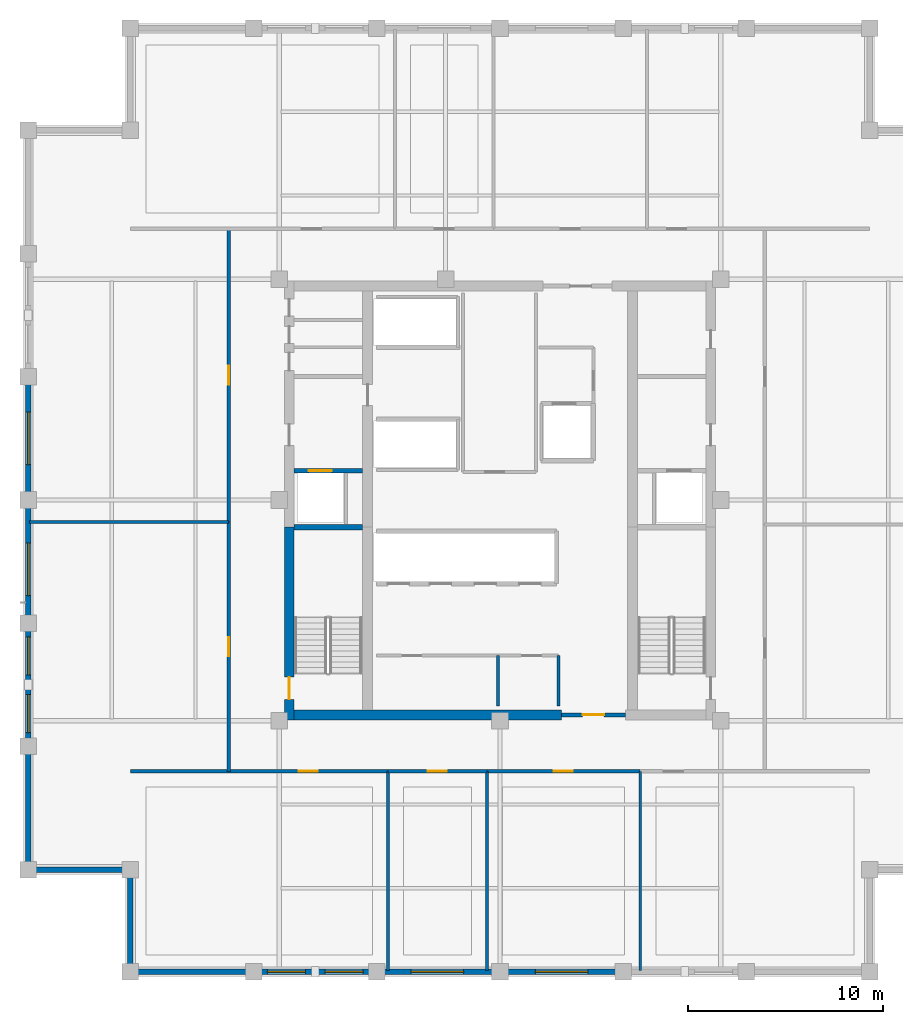
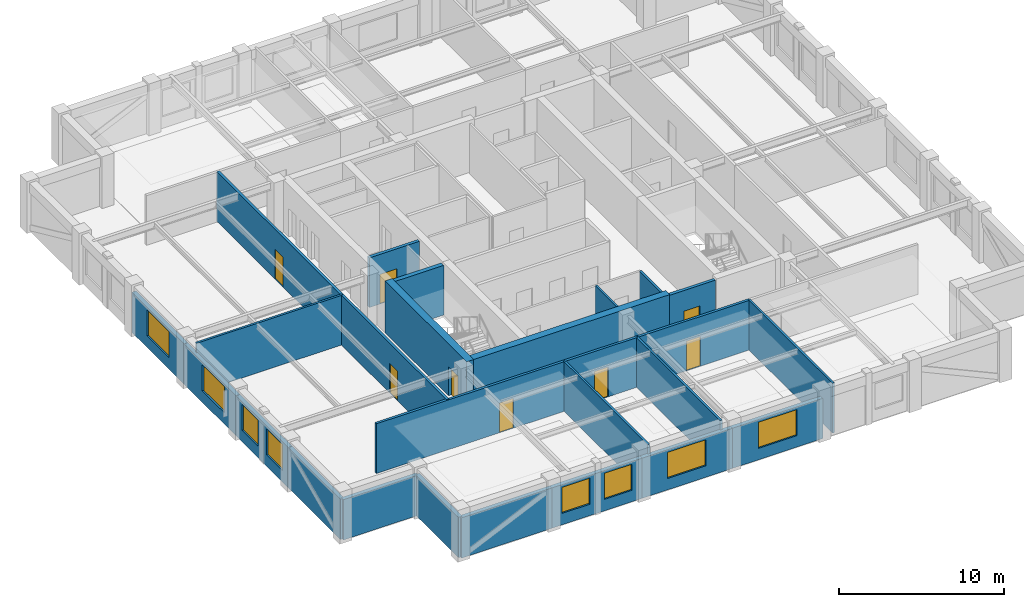
# One storey, part 5 of 11: 26 walls, 8 doors, 8 windows, 16 openings.
"""IFC4 building model written with IfcOpenShell, lengths in metres."""

from ifc_helpers import new_model, si_unit, direction, frame, frame_2d, origin, place, context, subcontext, project, spatial, rectangle, extrude, material, layer, layer_set, type_object, element, fill, save


model = new_model("IFC4")

# Units and contexts
model_context = context("Model", 3, precision=1e-05, world=origin(), true_north=direction((0.0, 1.0)))
body_context = subcontext(model_context, "Body", "Model", "MODEL_VIEW")
ifc_project = project(units=[si_unit("LENGTHUNIT", "METRE"), si_unit("AREAUNIT", "SQUARE_METRE"), si_unit("VOLUMEUNIT", "CUBIC_METRE"), si_unit("PLANEANGLEUNIT", "RADIAN"), si_unit("MASSUNIT", "GRAM", prefix="KILO")], contexts=[model_context])

# Site, building, storey
site_placement = place(None, origin())
site = spatial("IfcSite", under=ifc_project, at=site_placement, CompositionType="ELEMENT")
building_placement = place(site_placement, origin())
building = spatial("IfcBuilding", under=site, at=building_placement, Name="Nhamokura Convention Tower", CompositionType="ELEMENT")
storey_placement = place(building_placement, frame((0.0, 0.0, 198.449951171875)))
storey = spatial("IfcBuildingStorey", under=building, at=storey_placement, Name="L48", CompositionType="ELEMENT", Elevation=198.449951171875)

# Wall
ifc_material_1 = material(Name="Bronze-pigmented precast concrete C45/55", Category="concrete")
ifc_layer_1 = layer(ifc_material_1, 0.280029296875)
ifc_layer_set_1 = layer_set([ifc_layer_1], Name="BronzePrecastSpandrel_280")
wall_type_1 = type_object("IfcWallType", Name="BronzePrecastSpandrel_280", PredefinedType="USERDEFINED", material=ifc_layer_set_1)
wall_1_placement = place(storey_placement, frame((19.333251953125, 7.75, 0.0), z_axis=(0.0, 0.0, 1.0), x_axis=(-1.0, 0.0, 0.0)))
element("IfcWall", 1, at=wall_1_placement, inside=storey, type_object=wall_type_1, Name="L48 Braced-Bay Precast Wall SOUTH 0", ObjectType="SPANDREL_WALL", PredefinedType="USERDEFINED", context=body_context, shape_type="SweptSolid", body=[
    extrude(rectangle(XDim=6.333251953125, YDim=0.280029296875, at=frame_2d((3.16650390625, 0.0))), origin(), (0.0, 0.0, 1.0), 2.985107421875),
])

# Wall, openings, windows
wall_2_placement = place(storey_placement, frame((25.666748046875, 7.75, 0.0), z_axis=(0.0, 0.0, 1.0), x_axis=(-1.0, 0.0, 0.0)))
wall_2 = element("IfcWall", 2, at=wall_2_placement, inside=storey, type_object=wall_type_1, Name="L48 Masonry-Frame Wall SOUTH 1", ObjectType="SPANDREL_WALL", PredefinedType="USERDEFINED", context=body_context, shape_type="SweptSolid", body=[
    extrude(rectangle(XDim=6.33349609375, YDim=0.280029296875, at=frame_2d((3.166748046875, 0.0))), origin(), (0.0, 0.0, 1.0), 2.985107421875),
])
opening_1_placement = place(wall_2_placement, frame((0.708251953125, 0.0, 0.85009765625)))
opening_1 = element("IfcOpeningElement", 3, at=opening_1_placement, cuts=wall_2, Name="Opening W-08", PredefinedType="OPENING", context=body_context, shape_type="SweptSolid", body=[
    extrude(rectangle(XDim=1.949951171875, YDim=1.93505859375, at=frame_2d((0.97509765625, 0.967529296875))), frame((0.0, 0.14990234375, 0.0), z_axis=(0.0, -1.0, 0.0), x_axis=(1.0, 0.0, 0.0)), (0.0, 0.0, 1.0), 0.300048828125),
])
opening_2_placement = place(wall_2_placement, frame((3.675048828125, 0.0, 0.85009765625)))
opening_2 = element("IfcOpeningElement", 4, at=opening_2_placement, cuts=wall_2, Name="Opening W-08", PredefinedType="OPENING", context=body_context, shape_type="SweptSolid", body=[
    extrude(rectangle(XDim=1.949951171875, YDim=1.93505859375, at=frame_2d((0.97509765625, 0.967529296875))), frame((0.0, 0.14990234375, 0.0), z_axis=(0.0, -1.0, 0.0), x_axis=(1.0, 0.0, 0.0)), (0.0, 0.0, 1.0), 0.300048828125),
])
ifc_material_2 = material(Name="Solar-control bronze low-E double glass", Category="glass")
window_type_1 = type_object("IfcWindowType", Name="OfficeModuleWindow_Z3_1950", PartitioningType="SINGLE_PANEL", PredefinedType="WINDOW", material=ifc_material_2)
window_1_placement = place(opening_1_placement, origin())
window_1 = element("IfcWindow", 5, at=window_1_placement, inside=storey, type_object=window_type_1, Name="L48 Facade Window SOUTH 1-1", OverallHeight=1.93505859375, OverallWidth=1.949951171875, PartitioningType="SINGLE_PANEL", PredefinedType="WINDOW", context=body_context, shape_type="SweptSolid", body=[
    extrude(rectangle(XDim=1.949951171875, YDim=1.93505859375, at=frame_2d((0.97509765625, 0.967529296875))), frame((0.0, 0.030029296875, 0.0), z_axis=(0.0, -1.0, 0.0), x_axis=(1.0, 0.0, 0.0)), (0.0, 0.0, 1.0), 0.06005859375),
])
fill(opening_1, window_1)
window_2_placement = place(opening_2_placement, origin())
window_2 = element("IfcWindow", 6, at=window_2_placement, inside=storey, type_object=window_type_1, Name="L48 Facade Window SOUTH 1-2", OverallHeight=1.93505859375, OverallWidth=1.949951171875, PartitioningType="SINGLE_PANEL", PredefinedType="WINDOW", context=body_context, shape_type="SweptSolid", body=[
    extrude(rectangle(XDim=1.949951171875, YDim=1.93505859375, at=frame_2d((0.97509765625, 0.967529296875))), frame((0.0, 0.030029296875, 0.0), z_axis=(0.0, -1.0, 0.0), x_axis=(1.0, 0.0, 0.0)), (0.0, 0.0, 1.0), 0.06005859375),
])
fill(opening_2, window_2)

# Wall, opening, window
wall_3_placement = place(storey_placement, frame((32.0, 7.75, 0.0), z_axis=(0.0, 0.0, 1.0), x_axis=(-1.0, 0.0, 0.0)))
wall_3 = element("IfcWall", 7, at=wall_3_placement, inside=storey, type_object=wall_type_1, Name="L48 Masonry-Frame Wall SOUTH 2", ObjectType="SPANDREL_WALL", PredefinedType="USERDEFINED", context=body_context, shape_type="SweptSolid", body=[
    extrude(rectangle(XDim=6.333251953125, YDim=0.280029296875, at=frame_2d((3.16650390625, 0.0))), origin(), (0.0, 0.0, 1.0), 2.985107421875),
])
opening_3_placement = place(wall_3_placement, frame((1.86669921875, 0.0, 0.85009765625)))
opening_3 = element("IfcOpeningElement", 8, at=opening_3_placement, cuts=wall_3, Name="Opening W-07", PredefinedType="OPENING", context=body_context, shape_type="SweptSolid", body=[
    extrude(rectangle(XDim=2.699951171875, YDim=1.93505859375, at=frame_2d((1.35009765625, 0.967529296875))), frame((0.0, 0.14990234375, 0.0), z_axis=(0.0, -1.0, 0.0), x_axis=(1.0, 0.0, 0.0)), (0.0, 0.0, 1.0), 0.300048828125),
])
ifc_material_3 = material(Name="Solar-control bronze low-E double glass", Category="glass")
window_type_2 = type_object("IfcWindowType", Name="OfficeModuleWindow_Z3_2700", PartitioningType="DOUBLE_PANEL_VERTICAL", PredefinedType="WINDOW", material=ifc_material_3)
window_3_placement = place(opening_3_placement, origin())
window_3 = element("IfcWindow", 9, at=window_3_placement, inside=storey, type_object=window_type_2, Name="L48 Facade Window SOUTH 2", OverallHeight=1.93505859375, OverallWidth=2.699951171875, PartitioningType="SINGLE_PANEL", PredefinedType="WINDOW", context=body_context, shape_type="SweptSolid", body=[
    extrude(rectangle(XDim=2.699951171875, YDim=1.93505859375, at=frame_2d((1.35009765625, 0.967529296875))), frame((0.0, 0.030029296875, 0.0), z_axis=(0.0, -1.0, 0.0), x_axis=(1.0, 0.0, 0.0)), (0.0, 0.0, 1.0), 0.06005859375),
])
fill(opening_3, window_3)

wall_4_placement = place(storey_placement, frame((38.333251953125, 7.75, 0.0), z_axis=(0.0, 0.0, 1.0), x_axis=(-1.0, 0.0, 0.0)))
wall_4 = element("IfcWall", 10, at=wall_4_placement, inside=storey, type_object=wall_type_1, Name="L48 Masonry-Frame Wall SOUTH 3", ObjectType="SPANDREL_WALL", PredefinedType="USERDEFINED", context=body_context, shape_type="SweptSolid", body=[
    extrude(rectangle(XDim=6.333251953125, YDim=0.280029296875, at=frame_2d((3.16650390625, 0.0))), origin(), (0.0, 0.0, 1.0), 2.985107421875),
])
opening_4_placement = place(wall_4_placement, frame((1.816650390625, 0.0, 0.85009765625)))
opening_4 = element("IfcOpeningElement", 11, at=opening_4_placement, cuts=wall_4, Name="Opening W-07", PredefinedType="OPENING", context=body_context, shape_type="SweptSolid", body=[
    extrude(rectangle(XDim=2.699951171875, YDim=1.93505859375, at=frame_2d((1.35009765625, 0.967529296875))), frame((0.0, 0.14990234375, 0.0), z_axis=(0.0, -1.0, 0.0), x_axis=(1.0, 0.0, 0.0)), (0.0, 0.0, 1.0), 0.300048828125),
])
window_4_placement = place(opening_4_placement, origin())
window_4 = element("IfcWindow", 12, at=window_4_placement, inside=storey, type_object=window_type_2, Name="L48 Facade Window SOUTH 3", OverallHeight=1.93505859375, OverallWidth=2.699951171875, PartitioningType="SINGLE_PANEL", PredefinedType="WINDOW", context=body_context, shape_type="SweptSolid", body=[
    extrude(rectangle(XDim=2.699951171875, YDim=1.93505859375, at=frame_2d((1.35009765625, 0.967529296875))), frame((0.0, 0.030029296875, 0.0), z_axis=(0.0, -1.0, 0.0), x_axis=(1.0, 0.0, 0.0)), (0.0, 0.0, 1.0), 0.06005859375),
])
fill(opening_4, window_4)

# Wall
wall_5_placement = place(storey_placement, frame((7.75, 13.0, 0.0), z_axis=(0.0, 0.0, 1.0), x_axis=(0.0, 1.0, 0.0)))
element("IfcWall", 13, at=wall_5_placement, inside=storey, type_object=wall_type_1, Name="L48 Braced-Bay Precast Wall WEST 0", ObjectType="SPANDREL_WALL", PredefinedType="USERDEFINED", context=body_context, shape_type="SweptSolid", body=[
    extrude(rectangle(XDim=6.333251953125, YDim=0.280029296875, at=frame_2d((3.16650390625, 0.0))), origin(), (0.0, 0.0, 1.0), 2.985107421875),
])

# Wall, openings, windows
wall_6_placement = place(storey_placement, frame((7.75, 19.333251953125, 0.0), z_axis=(0.0, 0.0, 1.0), x_axis=(0.0, 1.0, 0.0)))
wall_6 = element("IfcWall", 14, at=wall_6_placement, inside=storey, type_object=wall_type_1, Name="L48 Masonry-Frame Wall WEST 1", ObjectType="SPANDREL_WALL", PredefinedType="USERDEFINED", context=body_context, shape_type="SweptSolid", body=[
    extrude(rectangle(XDim=6.33349609375, YDim=0.280029296875, at=frame_2d((3.166748046875, 0.0))), origin(), (0.0, 0.0, 1.0), 2.985107421875),
])
opening_5_placement = place(wall_6_placement, frame((0.708251953125, 0.0, 0.85009765625)))
opening_5 = element("IfcOpeningElement", 15, at=opening_5_placement, cuts=wall_6, Name="Opening W-08", PredefinedType="OPENING", context=body_context, shape_type="SweptSolid", body=[
    extrude(rectangle(XDim=1.949951171875, YDim=1.93505859375, at=frame_2d((0.97509765625, 0.967529296875))), frame((0.0, 0.14990234375, 0.0), z_axis=(0.0, -1.0, 0.0), x_axis=(1.0, 0.0, 0.0)), (0.0, 0.0, 1.0), 0.300048828125),
])
opening_6_placement = place(wall_6_placement, frame((3.675048828125, 0.0, 0.85009765625)))
opening_6 = element("IfcOpeningElement", 16, at=opening_6_placement, cuts=wall_6, Name="Opening W-08", PredefinedType="OPENING", context=body_context, shape_type="SweptSolid", body=[
    extrude(rectangle(XDim=1.949951171875, YDim=1.93505859375, at=frame_2d((0.97509765625, 0.967529296875))), frame((0.0, 0.14990234375, 0.0), z_axis=(0.0, -1.0, 0.0), x_axis=(1.0, 0.0, 0.0)), (0.0, 0.0, 1.0), 0.300048828125),
])
window_5_placement = place(opening_5_placement, origin())
window_5 = element("IfcWindow", 17, at=window_5_placement, inside=storey, type_object=window_type_1, Name="L48 Facade Window WEST 1-1", OverallHeight=1.93505859375, OverallWidth=1.949951171875, PartitioningType="SINGLE_PANEL", PredefinedType="WINDOW", context=body_context, shape_type="SweptSolid", body=[
    extrude(rectangle(XDim=1.949951171875, YDim=1.93505859375, at=frame_2d((0.97509765625, 0.967529296875))), frame((0.0, 0.030029296875, 0.0), z_axis=(0.0, -1.0, 0.0), x_axis=(1.0, 0.0, 0.0)), (0.0, 0.0, 1.0), 0.06005859375),
])
fill(opening_5, window_5)
window_6_placement = place(opening_6_placement, origin())
window_6 = element("IfcWindow", 18, at=window_6_placement, inside=storey, type_object=window_type_1, Name="L48 Facade Window WEST 1-2", OverallHeight=1.93505859375, OverallWidth=1.949951171875, PartitioningType="SINGLE_PANEL", PredefinedType="WINDOW", context=body_context, shape_type="SweptSolid", body=[
    extrude(rectangle(XDim=1.949951171875, YDim=1.93505859375, at=frame_2d((0.97509765625, 0.967529296875))), frame((0.0, 0.030029296875, 0.0), z_axis=(0.0, -1.0, 0.0), x_axis=(1.0, 0.0, 0.0)), (0.0, 0.0, 1.0), 0.06005859375),
])
fill(opening_6, window_6)

# Wall, opening, window
wall_7_placement = place(storey_placement, frame((7.75, 25.666748046875, 0.0), z_axis=(0.0, 0.0, 1.0), x_axis=(0.0, 1.0, 0.0)))
wall_7 = element("IfcWall", 19, at=wall_7_placement, inside=storey, type_object=wall_type_1, Name="L48 Masonry-Frame Wall WEST 2", ObjectType="SPANDREL_WALL", PredefinedType="USERDEFINED", context=body_context, shape_type="SweptSolid", body=[
    extrude(rectangle(XDim=6.333251953125, YDim=0.280029296875, at=frame_2d((3.16650390625, 0.0))), origin(), (0.0, 0.0, 1.0), 2.985107421875),
])
opening_7_placement = place(wall_7_placement, frame((1.416748046875, 0.0, 0.85009765625)))
opening_7 = element("IfcOpeningElement", 20, at=opening_7_placement, cuts=wall_7, Name="Opening W-07", PredefinedType="OPENING", context=body_context, shape_type="SweptSolid", body=[
    extrude(rectangle(XDim=2.699951171875, YDim=1.93505859375, at=frame_2d((1.35009765625, 0.967529296875))), frame((0.0, 0.14990234375, 0.0), z_axis=(0.0, -1.0, 0.0), x_axis=(1.0, 0.0, 0.0)), (0.0, 0.0, 1.0), 0.300048828125),
])
window_7_placement = place(opening_7_placement, origin())
window_7 = element("IfcWindow", 21, at=window_7_placement, inside=storey, type_object=window_type_2, Name="L48 Facade Window WEST 2-1", OverallHeight=1.93505859375, OverallWidth=2.699951171875, PartitioningType="SINGLE_PANEL", PredefinedType="WINDOW", context=body_context, shape_type="SweptSolid", body=[
    extrude(rectangle(XDim=2.699951171875, YDim=1.93505859375, at=frame_2d((1.35009765625, 0.967529296875))), frame((0.0, 0.030029296875, 0.0), z_axis=(0.0, -1.0, 0.0), x_axis=(1.0, 0.0, 0.0)), (0.0, 0.0, 1.0), 0.06005859375),
])
fill(opening_7, window_7)

wall_8_placement = place(storey_placement, frame((7.75, 32.0, 0.0), z_axis=(0.0, 0.0, 1.0), x_axis=(0.0, 1.0, 0.0)))
wall_8 = element("IfcWall", 22, at=wall_8_placement, inside=storey, type_object=wall_type_1, Name="L48 Masonry-Frame Wall WEST 3", ObjectType="SPANDREL_WALL", PredefinedType="USERDEFINED", context=body_context, shape_type="SweptSolid", body=[
    extrude(rectangle(XDim=6.333251953125, YDim=0.280029296875, at=frame_2d((3.16650390625, 0.0))), origin(), (0.0, 0.0, 1.0), 2.985107421875),
])
opening_8_placement = place(wall_8_placement, frame((1.816650390625, 0.0, 0.85009765625)))
opening_8 = element("IfcOpeningElement", 23, at=opening_8_placement, cuts=wall_8, Name="Opening W-07", PredefinedType="OPENING", context=body_context, shape_type="SweptSolid", body=[
    extrude(rectangle(XDim=2.699951171875, YDim=1.93505859375, at=frame_2d((1.35009765625, 0.967529296875))), frame((0.0, 0.14990234375, 0.0), z_axis=(0.0, -1.0, 0.0), x_axis=(1.0, 0.0, 0.0)), (0.0, 0.0, 1.0), 0.300048828125),
])
window_8_placement = place(opening_8_placement, origin())
window_8 = element("IfcWindow", 24, at=window_8_placement, inside=storey, type_object=window_type_2, Name="L48 Facade Window WEST 3", OverallHeight=1.93505859375, OverallWidth=2.699951171875, PartitioningType="SINGLE_PANEL", PredefinedType="WINDOW", context=body_context, shape_type="SweptSolid", body=[
    extrude(rectangle(XDim=2.699951171875, YDim=1.93505859375, at=frame_2d((1.35009765625, 0.967529296875))), frame((0.0, 0.030029296875, 0.0), z_axis=(0.0, -1.0, 0.0), x_axis=(1.0, 0.0, 0.0)), (0.0, 0.0, 1.0), 0.06005859375),
])
fill(opening_8, window_8)

# Walls
for number, where, z_axis, x_axis, name in (
    (25, (13.0, 7.75, 0.0), (0.0, 0.0, 1.0), (0.0, 1.0, 0.0), "L48 Notched Corner Wall SW1"),
    (26, (13.0, 13.0, 0.0), (0.0, 0.0, 1.0), (-1.0, 0.0, 0.0), "L48 Notched Corner Wall SW2"),
):
    element("IfcWall", number, at=place(storey_placement, frame(where, z_axis=z_axis, x_axis=x_axis)), inside=storey, type_object=wall_type_1, Name=name, ObjectType="SPANDREL_WALL", PredefinedType="USERDEFINED", context=body_context, shape_type="SweptSolid", body=[
        extrude(rectangle(XDim=5.25, YDim=0.280029296875, at=frame_2d((2.625, 0.0))), origin(), (0.0, 0.0, 1.0), 2.985107421875),
    ])

# Wall, opening, door
ifc_material_4 = material(Name="Concrete C60/75", Category="concrete")
ifc_layer_2 = layer(ifc_material_4, 0.5)
ifc_layer_set_2 = layer_set([ifc_layer_2], Name="CoreShearWall_500")
wall_type_2 = type_object("IfcWallType", Name="CoreShearWall_500", PredefinedType="SHEAR", material=ifc_layer_set_2)
wall_9_placement = place(storey_placement, frame((21.159912109375, 20.699951171875, 0.0), z_axis=(0.0, 0.0, 1.0), x_axis=(0.0, 1.0, 0.0)))
wall_9 = element("IfcWall", 27, at=wall_9_placement, inside=storey, type_object=wall_type_2, Name="L48 Core Shear Wall CW-WS", PredefinedType="SHEAR", context=body_context, shape_type="SweptSolid", body=[
    extrude(rectangle(XDim=9.900146484375, YDim=0.5, at=frame_2d((4.9501953125, 0.0))), origin(), (0.0, 0.0, 1.0), 3.85009765625),
])
opening_9_placement = place(wall_9_placement, frame((1.050048828125, 0.0, 0.0)))
opening_9 = element("IfcOpeningElement", 28, at=opening_9_placement, cuts=wall_9, Name="Opening D-04", PredefinedType="OPENING", context=body_context, shape_type="SweptSolid", body=[
    extrude(rectangle(XDim=1.14990234375, YDim=2.14990234375, at=frame_2d((0.574951171875, 1.074951171875))), frame((0.0, 0.260009765625, 0.0), z_axis=(0.0, -1.0, 0.0), x_axis=(1.0, 0.0, 0.0)), (0.0, 0.0, 1.0), 0.52001953125),
])
ifc_material_5 = material(Name="Fire-rated steel door", Category="steel")
door_type_1 = type_object("IfcDoorType", Name="StairSmokeDoor_1150", OperationType="NOTDEFINED", PredefinedType="DOOR", material=ifc_material_5)
door_1_placement = place(opening_9_placement, origin())
door_1 = element("IfcDoor", 29, at=door_1_placement, inside=storey, type_object=door_type_1, Name="L48 Core Door INT-L48-D-ST01", OperationType="SINGLE_SWING_LEFT", OverallHeight=2.14990234375, OverallWidth=1.14990234375, PredefinedType="DOOR", context=body_context, shape_type="SweptSolid", body=[
    extrude(rectangle(XDim=1.14990234375, YDim=2.14990234375, at=frame_2d((0.574951171875, 1.074951171875))), frame((0.0, 0.02490234375, 0.0), z_axis=(0.0, -1.0, 0.0), x_axis=(1.0, 0.0, 0.0)), (0.0, 0.0, 1.0), 0.050048828125),
])
fill(opening_9, door_1)

# Wall
wall_10_placement = place(storey_placement, frame((21.409912109375, 20.949951171875, 0.0), z_axis=(0.0, 0.0, 1.0), x_axis=(1.0, 0.0, 0.0)))
element("IfcWall", 30, at=wall_10_placement, inside=storey, type_object=wall_type_2, Name="L48 Core Shear Wall CW-S1", PredefinedType="SHEAR", context=body_context, shape_type="SweptSolid", body=[
    extrude(rectangle(XDim=13.739990234375, YDim=0.5, at=frame_2d((6.8701171875, 0.0))), origin(), (0.0, 0.0, 1.0), 3.85009765625),
])

# Wall, opening, door
ifc_material_6 = material(Name="Fire-rated gypsum and masonry partition", Category="masonry")
ifc_layer_3 = layer(ifc_material_6, 0.179931640625)
ifc_layer_set_3 = layer_set([ifc_layer_3], Name="CorridorRatedWall_180")
wall_type_3 = type_object("IfcWallType", Name="CorridorRatedWall_180", PredefinedType="STANDARD", material=ifc_layer_set_3)
wall_11_placement = place(storey_placement, frame((13.0, 18.050048828125, 0.0), z_axis=(0.0, 0.0, 1.0), x_axis=(1.0, 0.0, 0.0)))
wall_11 = element("IfcWall", 31, at=wall_11_placement, inside=storey, type_object=wall_type_3, Name="L48 Wall INT-L48-CW-S00", PredefinedType="STANDARD", context=body_context, shape_type="SweptSolid", body=[
    extrude(rectangle(XDim=13.24169921875, YDim=0.179931640625, at=frame_2d((6.620849609375, 0.0))), origin(), (0.0, 0.0, 1.0), 3.68505859375),
])
opening_10_placement = place(wall_11_placement, frame((8.64599609375, 0.0, 0.0)))
opening_10 = element("IfcOpeningElement", 32, at=opening_10_placement, cuts=wall_11, Name="Opening D-08", PredefinedType="OPENING", context=body_context, shape_type="SweptSolid", body=[
    extrude(rectangle(XDim=0.97998046875, YDim=2.199951171875, at=frame_2d((0.489990234375, 1.10009765625))), frame((0.0, 0.099853515625, 0.0), z_axis=(0.0, -1.0, 0.0), x_axis=(1.0, 0.0, 0.0)), (0.0, 0.0, 1.0), 0.199951171875),
])
ifc_material_7 = material(Name="Solid oak hardwood", Category="wood")
door_type_2 = type_object("IfcDoorType", Name="OfficeEntryDoor_980", OperationType="NOTDEFINED", PredefinedType="DOOR", material=ifc_material_7)
door_2_placement = place(opening_10_placement, origin())
door_2 = element("IfcDoor", 33, at=door_2_placement, inside=storey, type_object=door_type_2, Name="L48 Private Office S01 Door", OperationType="SINGLE_SWING_LEFT", OverallHeight=2.199951171875, OverallWidth=0.97998046875, PredefinedType="DOOR", context=body_context, shape_type="SweptSolid", body=[
    extrude(rectangle(XDim=0.97998046875, YDim=2.199951171875, at=frame_2d((0.489990234375, 1.10009765625))), frame((0.0, 0.02490234375, 0.0), z_axis=(0.0, -1.0, 0.0), x_axis=(1.0, 0.0, 0.0)), (0.0, 0.0, 1.0), 0.050048828125),
])
fill(opening_10, door_2)

wall_12_placement = place(storey_placement, frame((26.24169921875, 18.050048828125, 0.0), z_axis=(0.0, 0.0, 1.0), x_axis=(1.0, 0.0, 0.0)))
wall_12 = element("IfcWall", 34, at=wall_12_placement, inside=storey, type_object=wall_type_3, Name="L48 Wall INT-L48-CW-S01", PredefinedType="STANDARD", context=body_context, shape_type="SweptSolid", body=[
    extrude(rectangle(XDim=5.083251953125, YDim=0.179931640625, at=frame_2d((2.54150390625, 0.0))), origin(), (0.0, 0.0, 1.0), 3.68505859375),
])
opening_11_placement = place(wall_12_placement, frame((2.04150390625, 0.0, 0.0)))
opening_11 = element("IfcOpeningElement", 35, at=opening_11_placement, cuts=wall_12, Name="Opening D-08", PredefinedType="OPENING", context=body_context, shape_type="SweptSolid", body=[
    extrude(rectangle(XDim=0.97998046875, YDim=2.199951171875, at=frame_2d((0.489990234375, 1.10009765625))), frame((0.0, 0.099853515625, 0.0), z_axis=(0.0, -1.0, 0.0), x_axis=(1.0, 0.0, 0.0)), (0.0, 0.0, 1.0), 0.199951171875),
])
door_3_placement = place(opening_11_placement, origin())
door_3 = element("IfcDoor", 36, at=door_3_placement, inside=storey, type_object=door_type_2, Name="L48 Private Office S02 Door", OperationType="SINGLE_SWING_RIGHT", OverallHeight=2.199951171875, OverallWidth=0.97998046875, PredefinedType="DOOR", context=body_context, shape_type="SweptSolid", body=[
    extrude(rectangle(XDim=0.97998046875, YDim=2.199951171875, at=frame_2d((0.489990234375, 1.10009765625))), frame((0.0, 0.02490234375, 0.0), z_axis=(0.0, -1.0, 0.0), x_axis=(1.0, 0.0, 0.0)), (0.0, 0.0, 1.0), 0.050048828125),
])
fill(opening_11, door_3)

wall_13_placement = place(storey_placement, frame((31.324951171875, 18.050048828125, 0.0), z_axis=(0.0, 0.0, 1.0), x_axis=(1.0, 0.0, 0.0)))
wall_13 = element("IfcWall", 37, at=wall_13_placement, inside=storey, type_object=wall_type_3, Name="L48 Wall INT-L48-CW-S02", PredefinedType="STANDARD", context=body_context, shape_type="SweptSolid", body=[
    extrude(rectangle(XDim=7.88330078125, YDim=0.179931640625, at=frame_2d((3.941650390625, 0.0))), origin(), (0.0, 0.0, 1.0), 3.68505859375),
])
opening_12_placement = place(wall_13_placement, frame((3.441650390625, 0.0, 0.0)))
opening_12 = element("IfcOpeningElement", 38, at=opening_12_placement, cuts=wall_13, Name="Opening D-08", PredefinedType="OPENING", context=body_context, shape_type="SweptSolid", body=[
    extrude(rectangle(XDim=0.97998046875, YDim=2.199951171875, at=frame_2d((0.489990234375, 1.10009765625))), frame((0.0, 0.099853515625, 0.0), z_axis=(0.0, -1.0, 0.0), x_axis=(1.0, 0.0, 0.0)), (0.0, 0.0, 1.0), 0.199951171875),
])
door_4_placement = place(opening_12_placement, origin())
door_4 = element("IfcDoor", 39, at=door_4_placement, inside=storey, type_object=door_type_2, Name="L48 Meeting Room S03 Door", OperationType="SINGLE_SWING_LEFT", OverallHeight=2.199951171875, OverallWidth=0.97998046875, PredefinedType="DOOR", context=body_context, shape_type="SweptSolid", body=[
    extrude(rectangle(XDim=0.97998046875, YDim=2.199951171875, at=frame_2d((0.489990234375, 1.10009765625))), frame((0.0, 0.02490234375, 0.0), z_axis=(0.0, -1.0, 0.0), x_axis=(1.0, 0.0, 0.0)), (0.0, 0.0, 1.0), 0.050048828125),
])
fill(opening_12, door_4)

wall_14_placement = place(storey_placement, frame((18.050048828125, 18.050048828125, 0.0), z_axis=(0.0, 0.0, 1.0), x_axis=(0.0, 1.0, 0.0)))
wall_14 = element("IfcWall", 40, at=wall_14_placement, inside=storey, type_object=wall_type_3, Name="L48 Wall INT-L48-CW-W00", PredefinedType="STANDARD", context=body_context, shape_type="SweptSolid", body=[
    extrude(rectangle(XDim=12.824951171875, YDim=0.179931640625, at=frame_2d((6.41259765625, 0.0))), origin(), (0.0, 0.0, 1.0), 3.68505859375),
])
opening_13_placement = place(wall_14_placement, frame((5.91259765625, 0.0, 0.0)))
opening_13 = element("IfcOpeningElement", 41, at=opening_13_placement, cuts=wall_14, Name="Opening D-08", PredefinedType="OPENING", context=body_context, shape_type="SweptSolid", body=[
    extrude(rectangle(XDim=0.97998046875, YDim=2.199951171875, at=frame_2d((0.489990234375, 1.10009765625))), frame((0.0, 0.099853515625, 0.0), z_axis=(0.0, -1.0, 0.0), x_axis=(1.0, 0.0, 0.0)), (0.0, 0.0, 1.0), 0.199951171875),
])
door_5_placement = place(opening_13_placement, origin())
door_5 = element("IfcDoor", 42, at=door_5_placement, inside=storey, type_object=door_type_2, Name="L48 Private Office W01 Door", OperationType="SINGLE_SWING_LEFT", OverallHeight=2.199951171875, OverallWidth=0.97998046875, PredefinedType="DOOR", context=body_context, shape_type="SweptSolid", body=[
    extrude(rectangle(XDim=0.97998046875, YDim=2.199951171875, at=frame_2d((0.489990234375, 1.10009765625))), frame((0.0, 0.02490234375, 0.0), z_axis=(0.0, -1.0, 0.0), x_axis=(1.0, 0.0, 0.0)), (0.0, 0.0, 1.0), 0.050048828125),
])
fill(opening_13, door_5)

wall_15_placement = place(storey_placement, frame((18.050048828125, 30.875, 0.0), z_axis=(0.0, 0.0, 1.0), x_axis=(0.0, 1.0, 0.0)))
wall_15 = element("IfcWall", 43, at=wall_15_placement, inside=storey, type_object=wall_type_3, Name="L48 Wall INT-L48-CW-W01", PredefinedType="STANDARD", context=body_context, shape_type="SweptSolid", body=[
    extrude(rectangle(XDim=15.074951171875, YDim=0.179931640625, at=frame_2d((7.53759765625, 0.0))), origin(), (0.0, 0.0, 1.0), 3.68505859375),
])
opening_14_placement = place(wall_15_placement, frame((7.03759765625, 0.0, 0.0)))
opening_14 = element("IfcOpeningElement", 44, at=opening_14_placement, cuts=wall_15, Name="Opening D-08", PredefinedType="OPENING", context=body_context, shape_type="SweptSolid", body=[
    extrude(rectangle(XDim=0.97998046875, YDim=2.199951171875, at=frame_2d((0.489990234375, 1.10009765625))), frame((0.0, 0.099853515625, 0.0), z_axis=(0.0, -1.0, 0.0), x_axis=(1.0, 0.0, 0.0)), (0.0, 0.0, 1.0), 0.199951171875),
])
door_6_placement = place(opening_14_placement, origin())
door_6 = element("IfcDoor", 45, at=door_6_placement, inside=storey, type_object=door_type_2, Name="L48 Reception Lounge W02 Door", OperationType="SINGLE_SWING_RIGHT", OverallHeight=2.199951171875, OverallWidth=0.97998046875, PredefinedType="DOOR", context=body_context, shape_type="SweptSolid", body=[
    extrude(rectangle(XDim=0.97998046875, YDim=2.199951171875, at=frame_2d((0.489990234375, 1.10009765625))), frame((0.0, 0.02490234375, 0.0), z_axis=(0.0, -1.0, 0.0), x_axis=(1.0, 0.0, 0.0)), (0.0, 0.0, 1.0), 0.050048828125),
])
fill(opening_14, door_6)

ifc_material_8 = material(Name="Autoclaved concrete blockwork", Category="masonry")
ifc_layer_4 = layer(ifc_material_8, 0.219970703125)
ifc_layer_set_4 = layer_set([ifc_layer_4], Name="FireLobbyWall_220")
wall_type_4 = type_object("IfcWallType", Name="FireLobbyWall_220", PredefinedType="STANDARD", material=ifc_layer_set_4)
wall_16_placement = place(storey_placement, frame((21.409912109375, 33.5, 0.0), z_axis=(0.0, 0.0, 1.0), x_axis=(1.0, 0.0, 0.0)))
wall_16 = element("IfcWall", 46, at=wall_16_placement, inside=storey, type_object=wall_type_4, Name="L48 Wall INT-L48-FFW-S", PredefinedType="STANDARD", context=body_context, shape_type="SweptSolid", body=[
    extrude(rectangle(XDim=3.530029296875, YDim=0.219970703125, at=frame_2d((1.76513671875, 0.0))), origin(), (0.0, 0.0, 1.0), 3.68505859375),
])
opening_15_placement = place(wall_16_placement, frame((0.75, 0.0, 0.0)))
opening_15 = element("IfcOpeningElement", 47, at=opening_15_placement, cuts=wall_16, Name="Opening LD-02", PredefinedType="OPENING", context=body_context, shape_type="SweptSolid", body=[
    extrude(rectangle(XDim=1.199951171875, YDim=2.199951171875, at=frame_2d((0.60009765625, 1.10009765625))), frame((0.0, 0.119873046875, 0.0), z_axis=(0.0, -1.0, 0.0), x_axis=(1.0, 0.0, 0.0)), (0.0, 0.0, 1.0), 0.239990234375),
])
ifc_material_9 = material(Name="Anodised bronze stainless steel", Category="steel")
door_type_3 = type_object("IfcDoorType", Name="LiftLandingDoor_FireService", OperationType="DOUBLE_DOOR_SLIDING", PredefinedType="DOOR", material=ifc_material_9)
door_7_placement = place(opening_15_placement, origin())
door_7 = element("IfcDoor", 48, at=door_7_placement, inside=storey, type_object=door_type_3, Name="L48 Firefighting Lift LF-01 Door", OperationType="DOUBLE_DOOR_SLIDING", OverallHeight=2.199951171875, OverallWidth=1.199951171875, PredefinedType="DOOR", context=body_context, shape_type="SweptSolid", body=[
    extrude(rectangle(XDim=1.199951171875, YDim=2.199951171875, at=frame_2d((0.60009765625, 1.10009765625))), frame((0.0, 0.02490234375, 0.0), z_axis=(0.0, -1.0, 0.0), x_axis=(1.0, 0.0, 0.0)), (0.0, 0.0, 1.0), 0.050048828125),
])
fill(opening_15, door_7)

wall_17_placement = place(storey_placement, frame((35.14990234375, 20.949951171875, 0.0), z_axis=(0.0, 0.0, 1.0), x_axis=(1.0, 0.0, 0.0)))
wall_17 = element("IfcWall", 49, at=wall_17_placement, inside=storey, type_object=wall_type_4, Name="L48 Wall INT-L48-SPORT-S", PredefinedType="STANDARD", context=body_context, shape_type="SweptSolid", body=[
    extrude(rectangle(XDim=3.300048828125, YDim=0.219970703125, at=frame_2d((1.64990234375, 0.0))), origin(), (0.0, 0.0, 1.0), 3.68505859375),
])
opening_16_placement = place(wall_17_placement, frame((1.10009765625, 0.0, 0.0)))
opening_16 = element("IfcOpeningElement", 50, at=opening_16_placement, cuts=wall_17, Name="Opening D-05", PredefinedType="OPENING", context=body_context, shape_type="SweptSolid", body=[
    extrude(rectangle(XDim=1.10009765625, YDim=2.14990234375, at=frame_2d((0.550048828125, 1.074951171875))), frame((0.0, 0.119873046875, 0.0), z_axis=(0.0, -1.0, 0.0), x_axis=(1.0, 0.0, 0.0)), (0.0, 0.0, 1.0), 0.239990234375),
])
ifc_material_10 = material(Name="Fire-rated steel door", Category="steel")
door_type_4 = type_object("IfcDoorType", Name="FireLobbyDoor_1100", OperationType="NOTDEFINED", PredefinedType="DOOR", material=ifc_material_10)
door_8_placement = place(opening_16_placement, origin())
door_8 = element("IfcDoor", 51, at=door_8_placement, inside=storey, type_object=door_type_4, Name="L48 South Core Lobby Portal Door", OperationType="SINGLE_SWING_LEFT", OverallHeight=2.14990234375, OverallWidth=1.10009765625, PredefinedType="DOOR", context=body_context, shape_type="SweptSolid", body=[
    extrude(rectangle(XDim=1.10009765625, YDim=2.14990234375, at=frame_2d((0.550048828125, 1.074951171875))), frame((0.0, 0.02490234375, 0.0), z_axis=(0.0, -1.0, 0.0), x_axis=(1.0, 0.0, 0.0)), (0.0, 0.0, 1.0), 0.050048828125),
])
fill(opening_16, door_8)

# Walls
ifc_material_11 = material(Name="Acoustic gypsum stud partition", Category="masonry")
ifc_layer_5 = layer(ifc_material_11, 0.14990234375)
ifc_layer_set_5 = layer_set([ifc_layer_5], Name="InteriorPartition_150")
wall_type_5 = type_object("IfcWallType", Name="InteriorPartition_150", PredefinedType="STANDARD", material=ifc_layer_set_5)
for number, where, z_axis, x_axis, name in (
    (52, (31.89990234375, 21.39990234375, 0.0), (0.0, 0.0, 1.0), (0.0, 1.0, 0.0), "L48 Wall INT-L48-B1R-M"),
    (53, (35.0, 21.39990234375, 0.0), (0.0, 0.0, 1.0), (0.0, 1.0, 0.0), "L48 Wall INT-L48-B1R-E"),
):
    element("IfcWall", number, at=place(storey_placement, frame(where, z_axis=z_axis, x_axis=x_axis)), inside=storey, type_object=wall_type_5, Name=name, PredefinedType="STANDARD", context=body_context, shape_type="SweptSolid", body=[
        extrude(rectangle(XDim=2.60009765625, YDim=0.14990234375, at=frame_2d((1.300048828125, 0.0))), origin(), (0.0, 0.0, 1.0), 3.68505859375),
    ])
for number, where, z_axis, x_axis, name in (
    (54, (26.24169921875, 7.81005859375, 0.0), (0.0, 0.0, 1.0), (0.0, 1.0, 0.0), "L48 Wall INT-L48-RW-S01"),
    (55, (31.324951171875, 7.81005859375, 0.0), (0.0, 0.0, 1.0), (0.0, 1.0, 0.0), "L48 Wall INT-L48-RW-S02"),
    (56, (39.208251953125, 7.81005859375, 0.0), (0.0, 0.0, 1.0), (0.0, 1.0, 0.0), "L48 Wall INT-L48-RW-S03"),
    (57, (7.81005859375, 30.875, 0.0), (0.0, 0.0, 1.0), (1.0, 0.0, 0.0), "L48 Wall INT-L48-RW-W01"),
):
    element("IfcWall", number, at=place(storey_placement, frame(where, z_axis=z_axis, x_axis=x_axis)), inside=storey, type_object=wall_type_5, Name=name, PredefinedType="STANDARD", context=body_context, shape_type="SweptSolid", body=[
        extrude(rectangle(XDim=10.239990234375, YDim=0.14990234375, at=frame_2d((5.1201171875, 0.0))), origin(), (0.0, 0.0, 1.0), 3.68505859375),
    ])
ifc_material_12 = material(Name="Concrete C50/60", Category="concrete")
ifc_layer_6 = layer(ifc_material_12, 0.300048828125)
ifc_layer_set_6 = layer_set([ifc_layer_6], Name="ShaftEnclosureWall_300")
wall_type_6 = type_object("IfcWallType", Name="ShaftEnclosureWall_300", PredefinedType="SHEAR", material=ifc_layer_set_6)
wall_18_placement = place(storey_placement, frame((21.409912109375, 30.60009765625, 0.0), z_axis=(0.0, 0.0, 1.0), x_axis=(1.0, 0.0, 0.0)))
element("IfcWall", 58, at=wall_18_placement, inside=storey, type_object=wall_type_6, Name="L48 Wall INT-L48-ST01-N", PredefinedType="SHEAR", context=body_context, shape_type="SweptSolid", body=[
    extrude(rectangle(XDim=3.530029296875, YDim=0.300048828125, at=frame_2d((1.76513671875, 0.0))), origin(), (0.0, 0.0, 1.0), 3.68505859375),
])

save(model, "model.ifc")
